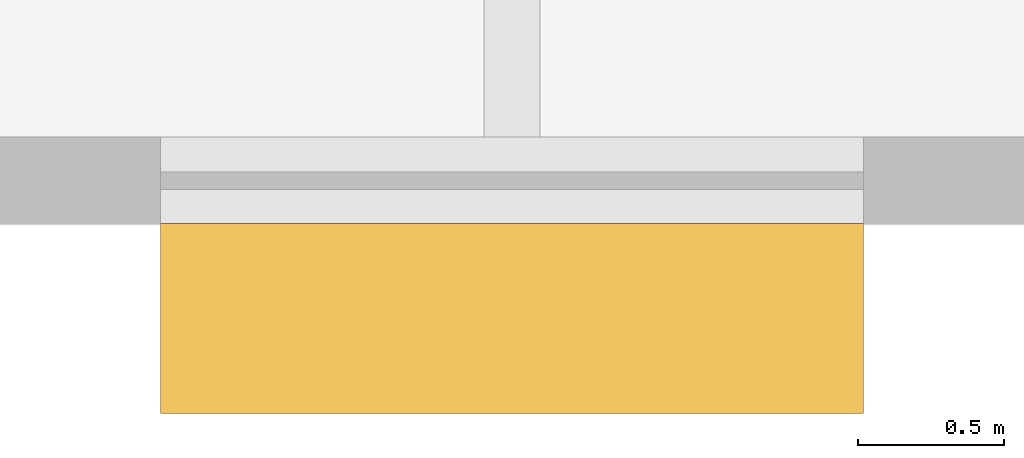
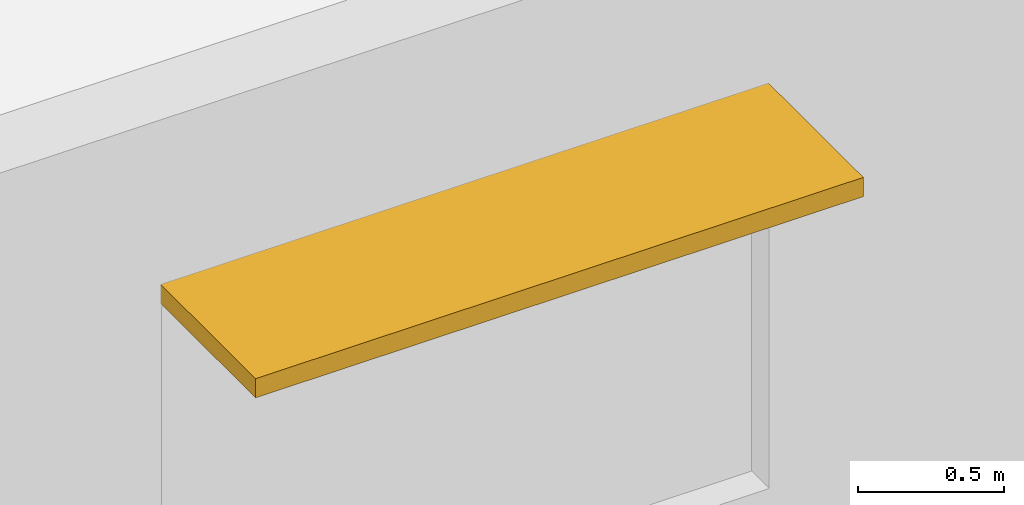
# One storey, part 16 of 16: 1 shading device.
"""IFC4 building model written with IfcOpenShell, lengths in metres."""

from ifc_helpers import new_model, si_unit, direction, frame, origin, origin_2d, place, context, subcontext, project, spatial, rectangle, extrude, material, layer, layer_set, type_object, element, save


model = new_model("IFC4")

# Units and contexts
model_context = context("Model", 3, precision=1e-05, world=origin(), true_north=direction((0.0, 1.0)))
body_context = subcontext(model_context, "Body", "Model", "MODEL_VIEW")
ifc_project = project(units=[si_unit("LENGTHUNIT", "METRE"), si_unit("AREAUNIT", "SQUARE_METRE"), si_unit("VOLUMEUNIT", "CUBIC_METRE"), si_unit("PLANEANGLEUNIT", "RADIAN"), si_unit("MASSUNIT", "GRAM", prefix="KILO")], contexts=[model_context])

# Site, building, storey
site_placement = place(None, origin())
site = spatial("IfcSite", under=ifc_project, at=site_placement, CompositionType="ELEMENT")
building_placement = place(site_placement, origin())
building = spatial("IfcBuilding", under=site, at=building_placement, Name="Solnavia Interchange Tower", CompositionType="ELEMENT")
storey_placement = place(building_placement, frame((0.0, 0.0, 10.199951171875)))
storey = spatial("IfcBuildingStorey", under=building, at=storey_placement, Name="L02", CompositionType="ELEMENT", Elevation=10.199951171875)

# Shading device
ifc_material = material(Name="Anodised Aluminium Sunshade", Category="aluminium")
ifc_layer = layer(ifc_material, 0.080078125)
ifc_layer_set = layer_set([ifc_layer], Name="Anodised Aluminium Sunshade")
shading_device_type = type_object("IfcShadingDeviceType", Name="Sunshade-Band-650", PredefinedType="SHUTTER", material=ifc_layer_set)
shading_device_placement = place(storey_placement, frame((68.39990234375, -0.469970703125, 2.4599609375), z_axis=(0.0, 0.0, 1.0), x_axis=(1.0, 0.0, 0.0)))
element("IfcShadingDevice", 1, at=shading_device_placement, inside=storey, type_object=shading_device_type, Name="SHD-L02-S07 South horizontal sunshade band", PredefinedType="SHUTTER", context=body_context, shape_type="SweptSolid", body=[
    extrude(rectangle(XDim=2.39990234375, YDim=0.64990234375, at=origin_2d()), origin(), (0.0, 0.0, 1.0), 0.080078125),
])

save(model, "model.ifc")
